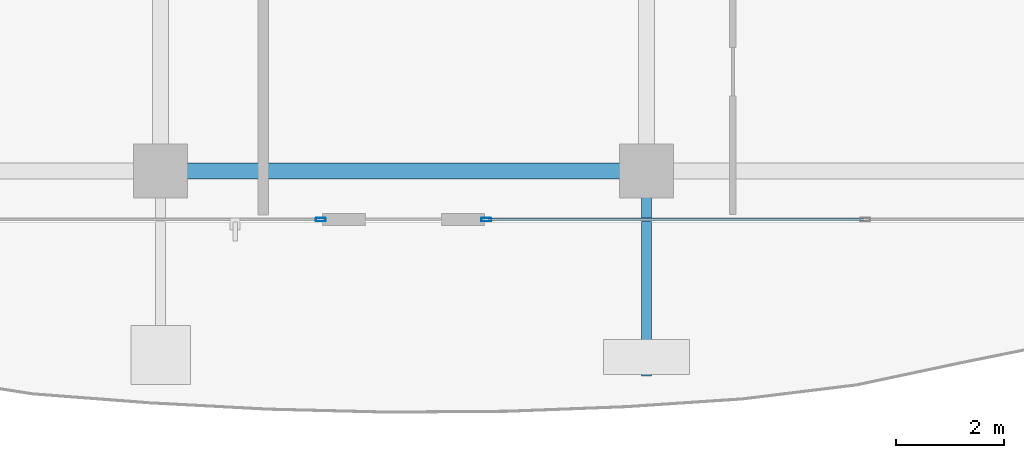
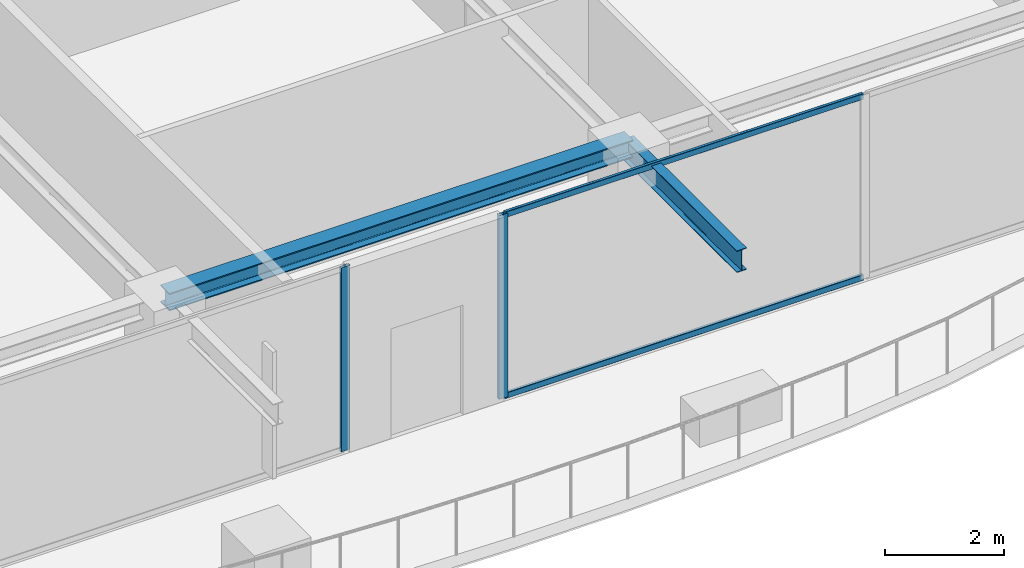
# One storey, part 5 of 41: 4 members, 2 beams, 2 elements without a shape of their own.
"""IFC4 building model written with IfcOpenShell, lengths in metres."""

from ifc_helpers import new_model, si_unit, direction, frame, origin, origin_2d, place, context, subcontext, project, spatial, hollow_rectangle, i_section, extrude, source, transform, mapped, material, layer, layer_set, material_profile, profile_set, type_object, element, aggregate, save


model = new_model("IFC4")

# Units and contexts
model_context = context("Model", 3, precision=1e-05, world=origin(), true_north=direction((0.0, 1.0)))
body_context = subcontext(model_context, "Body", "Model", "MODEL_VIEW")
ifc_project = project(units=[si_unit("LENGTHUNIT", "METRE"), si_unit("AREAUNIT", "SQUARE_METRE"), si_unit("VOLUMEUNIT", "CUBIC_METRE"), si_unit("PLANEANGLEUNIT", "RADIAN"), si_unit("MASSUNIT", "GRAM", prefix="KILO")], contexts=[model_context])

# Site, building, storey
site_placement = place(None, origin())
site = spatial("IfcSite", under=ifc_project, at=site_placement, CompositionType="ELEMENT")
building_placement = place(site_placement, origin())
building = spatial("IfcBuilding", under=site, at=building_placement, Name="Serunith Strait Residences", CompositionType="ELEMENT")
storey_placement = place(building_placement, frame((0.0, 0.0, 301.550048828125)))
storey = spatial("IfcBuildingStorey", under=building, at=storey_placement, Name="L75", CompositionType="ELEMENT", Elevation=301.550048828125)

# Beams
ifc_material_1 = material(Name="Steel S355J2", Category="steel")
ifc_material_profile_1 = material_profile(ifc_material_1, i_section(OverallWidth=0.300048828125, OverallDepth=0.360107421875, WebThickness=0.012451171875, FlangeThickness=0.0224609375, FilletRadius=0.027099609375, at=origin_2d()), Name="HEB 360")
ifc_profile_set_1 = profile_set([ifc_material_profile_1], Name="Steel S355J2")
beam_type_1 = type_object("IfcBeamType", Name="BM-HEB360", PredefinedType="BEAM", material=ifc_profile_set_1)
shared_shape_1 = source(origin(), body_context, "Body", "SweptSolid", [
    extrude(i_section(OverallWidth=0.300048828125, OverallDepth=0.360107421875, WebThickness=0.012451171875, FlangeThickness=0.0224609375, FilletRadius=0.027099609375, at=origin_2d()), origin(), (0.0, 0.0, 1.0), 9.0),
])
beam_1_placement = place(storey_placement, frame((27.89990234375, 3.300048828125, 3.60693359375), z_axis=(1.0, 0.0, 0.0), x_axis=(0.0, 1.0, 0.0)))
element("IfcBeam", 1, at=beam_1_placement, inside=storey, type_object=beam_type_1, Name="L75 Perimeter Ring Beam 02", PredefinedType="BEAM", context=body_context, shape_type="MappedRepresentation", body=[
    mapped(shared_shape_1, transform((0.0, 0.0, 0.0), scale=1.0)),
])
ifc_material_profile_2 = material_profile(ifc_material_1, i_section(OverallWidth=0.18994140625, OverallDepth=0.449951171875, WebThickness=0.009521484375, FlangeThickness=0.0146484375, FilletRadius=0.02099609375, at=origin_2d()), Name="IPE 450")
ifc_profile_set_2 = profile_set([ifc_material_profile_2], Name="Steel S355J2")
beam_type_2 = type_object("IfcBeamType", Name="BM-IPE450", PredefinedType="JOIST", material=ifc_profile_set_2)
shared_shape_2 = source(origin(), body_context, "Body", "SweptSolid", [
    extrude(i_section(OverallWidth=0.18994140625, OverallDepth=0.449951171875, WebThickness=0.009521484375, FlangeThickness=0.0146484375, FilletRadius=0.02099609375, at=origin_2d()), origin(), (0.0, 0.0, 1.0), 3.800048828125),
])
beam_2_placement = place(storey_placement, frame((36.89990234375, 3.300048828125, 3.531982421875), z_axis=(0.0, -1.0, 0.0), x_axis=(1.0, 0.0, 0.0)))
element("IfcBeam", 2, at=beam_2_placement, inside=storey, type_object=beam_type_2, Name="L76 Cantilevered Balcony Rib TC-S3", PredefinedType="JOIST", context=body_context, shape_type="MappedRepresentation", body=[
    mapped(shared_shape_2, transform((0.0, 0.0, 0.0), scale=1.0)),
])

# Curtain wall, members
ifc_material_2 = material(Name="Brushed Stainless-Silver Aluminium", Category="aluminium")
ifc_layer = layer(ifc_material_2, 0.199951171875, Name="Brushed Stainless-Silver Aluminium")
ifc_layer_set = layer_set([ifc_layer], Name="Brushed Stainless-Silver Aluminium")
curtain_wall_type = type_object("IfcCurtainWallType", Name="CW-SYS5", PredefinedType="NOTDEFINED", material=ifc_layer_set)
curtain_wall_1_placement = place(storey_placement, origin())
curtain_wall_1 = element("IfcCurtainWall", 3, at=curtain_wall_1_placement, inside=storey, type_object=curtain_wall_type, Name="L75 S Unitised Fritted Curtain Wall", PredefinedType="NOTDEFINED")
ifc_material_profile_3 = material_profile(ifc_material_2, hollow_rectangle(XDim=0.06005859375, YDim=0.1201171875, WallThickness=0.00341796875, InnerFilletRadius=0.00537109375, OuterFilletRadius=0.0087890625, at=origin_2d()), Name="ALU 120x60x3.5")
ifc_profile_set_3 = profile_set([ifc_material_profile_3], Name="Brushed Stainless-Silver Aluminium")
member_type_1 = type_object("IfcMemberType", Name="CW-SYS5-TRAN", PredefinedType="USERDEFINED", material=ifc_profile_set_3)
shared_shape_3 = source(origin(), body_context, "Body", "SweptSolid", [
    extrude(hollow_rectangle(XDim=0.06005859375, YDim=0.1201171875, WallThickness=0.00341796875, InnerFilletRadius=0.00537109375, OuterFilletRadius=0.0087890625, at=origin_2d()), origin(), (0.0, 0.0, 1.0), 6.952392578125),
])
member_1_placement = place(storey_placement, frame((33.965087890625, 2.39990234375, 0.030029296875), z_axis=(1.0, 0.0, 0.0), x_axis=(0.0, 1.0, 0.0)))
member_1 = element("IfcMember", 4, at=member_1_placement, type_object=member_type_1, Name="CW-5 transom 1.1", ObjectType="TRANSOM", PredefinedType="USERDEFINED", context=body_context, shape_type="MappedRepresentation", body=[
    mapped(shared_shape_3, transform((0.0, 0.0, 0.0), scale=1.0)),
])
member_2_placement = place(storey_placement, frame((33.965087890625, 2.39990234375, 3.744873046875), z_axis=(1.0, 0.0, 0.0), x_axis=(0.0, 1.0, 0.0)))
member_2 = element("IfcMember", 5, at=member_2_placement, type_object=member_type_1, Name="CW-5 transom 1.2", ObjectType="TRANSOM", PredefinedType="USERDEFINED", context=body_context, shape_type="MappedRepresentation", body=[
    mapped(shared_shape_3, transform((0.0, 0.0, 0.0), scale=1.0)),
])

# Curtain wall, member
curtain_wall_2_placement = place(storey_placement, origin())
curtain_wall_2 = element("IfcCurtainWall", 6, at=curtain_wall_2_placement, inside=storey, type_object=curtain_wall_type, Name="L75 S Unitised Fritted Curtain Wall", PredefinedType="NOTDEFINED")
ifc_material_profile_4 = material_profile(ifc_material_2, hollow_rectangle(XDim=0.06494140625, YDim=0.179931640625, WallThickness=0.00341796875, InnerFilletRadius=0.00537109375, OuterFilletRadius=0.0087890625, at=origin_2d()), Name="ALU 180x65x3.5")
ifc_profile_set_4 = profile_set([ifc_material_profile_4], Name="Brushed Stainless-Silver Aluminium")
member_type_2 = type_object("IfcMemberType", Name="CW-SYS5-MULL", PredefinedType="MULLION", material=ifc_profile_set_4)
shared_shape_4 = source(origin(), body_context, "Body", "SweptSolid", [
    extrude(hollow_rectangle(XDim=0.06494140625, YDim=0.179931640625, WallThickness=0.00341796875, InnerFilletRadius=0.00537109375, OuterFilletRadius=0.0087890625, at=origin_2d()), origin(), (0.0, 0.0, 1.0), 3.77490234375),
])
member_3_placement = place(storey_placement, frame((30.867431640625, 2.39990234375, 0.0), z_axis=(0.0, 0.0, 1.0), x_axis=(0.0, 1.0, 0.0)))
member_3 = element("IfcMember", 7, at=member_3_placement, type_object=member_type_2, Name="CW-5 mullion 3", PredefinedType="MULLION", context=body_context, shape_type="MappedRepresentation", body=[
    mapped(shared_shape_4, transform((0.0, 0.0, 0.0), scale=1.0)),
])
aggregate(curtain_wall_2, [member_3])

# Member
member_4_placement = place(storey_placement, frame((33.9326171875, 2.39990234375, 0.0), z_axis=(0.0, 0.0, 1.0), x_axis=(0.0, 1.0, 0.0)))
member_4 = element("IfcMember", 8, at=member_4_placement, type_object=member_type_2, Name="CW-5 mullion 1", PredefinedType="MULLION", context=body_context, shape_type="MappedRepresentation", body=[
    mapped(shared_shape_4, transform((0.0, 0.0, 0.0), scale=1.0)),
])

aggregate(curtain_wall_1, [member_4, member_1, member_2])

save(model, "model.ifc")
